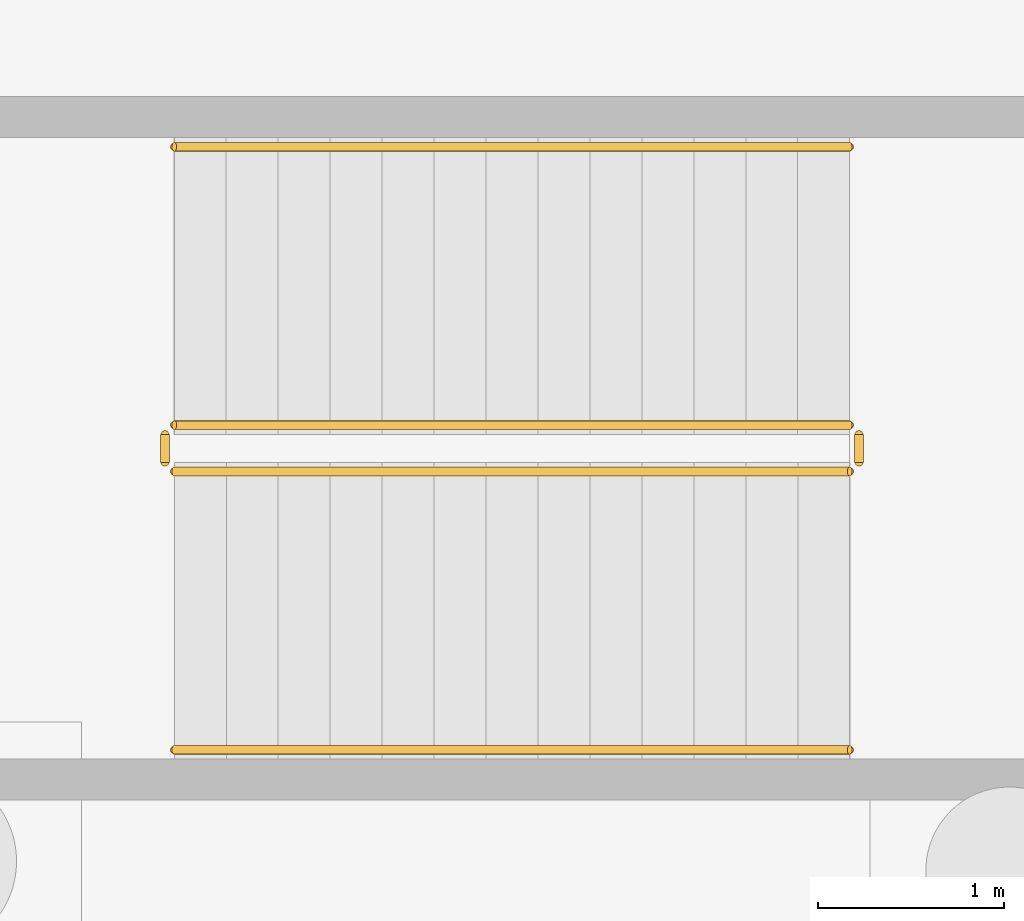
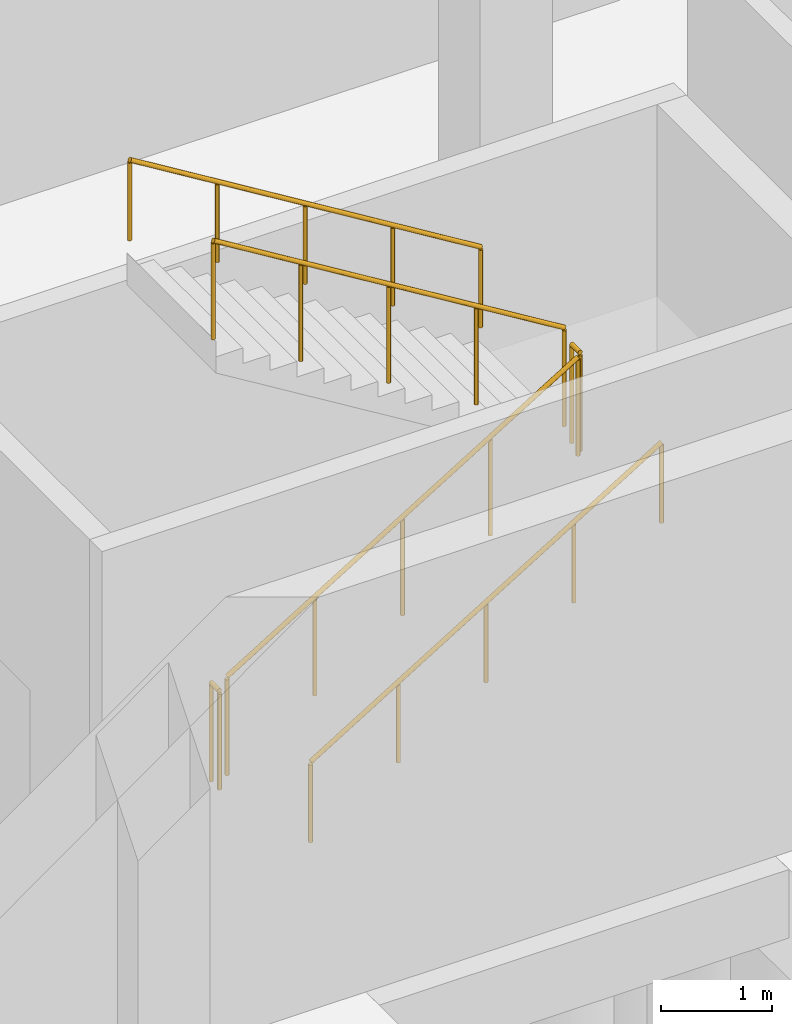
# One storey, part 20 of 26: 6 railings.
"""IFC4 building model written with IfcOpenShell, lengths in metres."""

from ifc_helpers import new_model, si_unit, direction, frame, origin, origin_2d, place, context, subcontext, project, spatial, circle, extrude, material, type_object, element, save


model = new_model("IFC4")

# Units and contexts
model_context = context("Model", 3, precision=1e-05, world=origin(), true_north=direction((0.0, 1.0)))
body_context = subcontext(model_context, "Body", "Model", "MODEL_VIEW")
ifc_project = project(units=[si_unit("LENGTHUNIT", "METRE"), si_unit("AREAUNIT", "SQUARE_METRE"), si_unit("VOLUMEUNIT", "CUBIC_METRE"), si_unit("PLANEANGLEUNIT", "RADIAN"), si_unit("MASSUNIT", "GRAM", prefix="KILO"), si_unit("THERMODYNAMICTEMPERATUREUNIT", "KELVIN")], contexts=[model_context])

# Site, building, storey
site_placement = place(None, origin())
site = spatial("IfcSite", under=ifc_project, at=site_placement, CompositionType="ELEMENT")
building_placement = place(site_placement, origin())
building = spatial("IfcBuilding", under=site, at=building_placement, Name="Nduvali Passage Aquatics Centre", CompositionType="ELEMENT")
storey_placement = place(building_placement, frame((0.0, 0.0, -4.800048828125)))
storey = spatial("IfcBuildingStorey", under=building, at=storey_placement, Name="B01", CompositionType="ELEMENT", Elevation=-4.800048828125)

# Railings
ifc_material = material(Name="Stainless steel balustrade", Category="steel")
railing_type_1 = type_object("IfcRailingType", Name="INT-RLG-GRD110", PredefinedType="GUARDRAIL", material=ifc_material)
railing_1_placement = place(storey_placement, frame((11.10009765625, 36.949951171875, 0.17138671875)))
element("IfcRailing", 1, at=railing_1_placement, inside=storey, type_object=railing_type_1, Name="B01 ST9 stair guard 1", PredefinedType="GUARDRAIL", context=body_context, shape_type="SweptSolid", body=[
    extrude(circle(Radius=0.02392578125, at=origin_2d()), frame((0.0, 0.0, 1.076171875), z_axis=(0.852824790078, 0.0, 0.522197163366), x_axis=(0.0, 1.0, 0.0)), (0.0, 0.0, 1.0), 4.26806640625),
    extrude(circle(Radius=0.02099609375, at=origin_2d()), origin(), (0.0, 0.0, 1.0), 1.052001953125),
    extrude(circle(Radius=0.02099609375, at=origin_2d()), frame((0.909912109375, 0.0, 0.55712890625)), (0.0, 0.0, 1.0), 1.052001953125),
    extrude(circle(Radius=0.02099609375, at=origin_2d()), frame((1.81982421875, 0.0, 1.1142578125)), (0.0, 0.0, 1.0), 1.052001953125),
    extrude(circle(Radius=0.02099609375, at=origin_2d()), frame((2.72998046875, 0.0, 1.671630859375)), (0.0, 0.0, 1.0), 1.052001953125),
    extrude(circle(Radius=0.02099609375, at=origin_2d()), frame((3.639892578125, 0.0, 2.228759765625)), (0.0, 0.0, 1.0), 1.052001953125),
])
railing_2_placement = place(storey_placement, frame((14.7900390625, 37.0, 2.400146484375)))
element("IfcRailing", 2, at=railing_2_placement, inside=storey, type_object=railing_type_1, Name="B01 ST9 stair guard 2", PredefinedType="GUARDRAIL", context=body_context, shape_type="SweptSolid", body=[
    extrude(circle(Radius=0.02392578125, at=origin_2d()), frame((0.0, 0.0, 1.076171875), z_axis=(0.0, 1.0, 0.0), x_axis=(-1.0, 0.0, 0.0)), (0.0, 0.0, 1.0), 0.14990234375),
    extrude(circle(Radius=0.02099609375, at=origin_2d()), origin(), (0.0, 0.0, 1.0), 1.052001953125),
    extrude(circle(Radius=0.02099609375, at=origin_2d()), frame((0.0, 0.14990234375, 0.0)), (0.0, 0.0, 1.0), 1.052001953125),
])
railing_3_placement = place(storey_placement, frame((14.739990234375, 37.199951171875, 2.571533203125)))
element("IfcRailing", 3, at=railing_3_placement, inside=storey, type_object=railing_type_1, Name="B01 ST9 stair guard 3", PredefinedType="GUARDRAIL", context=body_context, shape_type="SweptSolid", body=[
    extrude(circle(Radius=0.02392578125, at=origin_2d()), frame((0.0, 0.0, 1.076171875), z_axis=(-0.852850264322, 0.0, 0.5221555579), x_axis=(0.0, -1.0, 0.0)), (0.0, 0.0, 1.0), 4.267822265625),
    extrude(circle(Radius=0.02099609375, at=origin_2d()), origin(), (0.0, 0.0, 1.0), 1.052001953125),
    extrude(circle(Radius=0.02099609375, at=origin_2d()), frame((-0.909912109375, 0.0, 0.55712890625)), (0.0, 0.0, 1.0), 1.052001953125),
    extrude(circle(Radius=0.02099609375, at=origin_2d()), frame((-1.81982421875, 0.0, 1.1142578125)), (0.0, 0.0, 1.0), 1.052001953125),
    extrude(circle(Radius=0.02099609375, at=origin_2d()), frame((-2.72998046875, 0.0, 1.67138671875)), (0.0, 0.0, 1.0), 1.052001953125),
    extrude(circle(Radius=0.02099609375, at=origin_2d()), frame((-3.639892578125, 0.0, 2.228515625)), (0.0, 0.0, 1.0), 1.052001953125),
])
railing_4_placement = place(storey_placement, frame((11.050048828125, 37.0, 0.0)))
element("IfcRailing", 4, at=railing_4_placement, inside=storey, type_object=railing_type_1, Name="B01 ST9 stair guard 4", PredefinedType="GUARDRAIL", context=body_context, shape_type="SweptSolid", body=[
    extrude(circle(Radius=0.02392578125, at=origin_2d()), frame((0.0, 0.0, 1.076171875), z_axis=(0.0, 1.0, 0.0), x_axis=(-1.0, 0.0, 0.0)), (0.0, 0.0, 1.0), 0.14990234375),
    extrude(circle(Radius=0.02099609375, at=origin_2d()), origin(), (0.0, 0.0, 1.0), 1.052001953125),
    extrude(circle(Radius=0.02099609375, at=origin_2d()), frame((0.0, 0.14990234375, 0.0)), (0.0, 0.0, 1.0), 1.052001953125),
])
railing_type_2 = type_object("IfcRailingType", Name="INT-RLG-HND90", PredefinedType="HANDRAIL", material=ifc_material)
railing_5_placement = place(storey_placement, frame((11.10009765625, 35.449951171875, 0.346435546875)))
element("IfcRailing", 5, at=railing_5_placement, inside=storey, type_object=railing_type_2, Name="B01 ST9 stair handrail 1", PredefinedType="HANDRAIL", context=body_context, shape_type="SweptSolid", body=[
    extrude(circle(Radius=0.02392578125, at=origin_2d()), frame((0.0, 0.0, 0.8759765625), z_axis=(0.852850264322, 0.0, 0.5221555579), x_axis=(0.0, 1.0, 0.0)), (0.0, 0.0, 1.0), 4.267822265625),
    extrude(circle(Radius=0.02099609375, at=origin_2d()), origin(), (0.0, 0.0, 1.0), 0.851806640625),
    extrude(circle(Radius=0.02099609375, at=origin_2d()), frame((0.909912109375, 0.0, 0.55712890625)), (0.0, 0.0, 1.0), 0.851806640625),
    extrude(circle(Radius=0.02099609375, at=origin_2d()), frame((1.81982421875, 0.0, 1.1142578125)), (0.0, 0.0, 1.0), 0.851806640625),
    extrude(circle(Radius=0.02099609375, at=origin_2d()), frame((2.72998046875, 0.0, 1.67138671875)), (0.0, 0.0, 1.0), 0.851806640625),
    extrude(circle(Radius=0.02099609375, at=origin_2d()), frame((3.639892578125, 0.0, 2.228515625)), (0.0, 0.0, 1.0), 0.851806640625),
])
railing_6_placement = place(storey_placement, frame((14.739990234375, 38.699951171875, 2.746337890625)))
element("IfcRailing", 6, at=railing_6_placement, inside=storey, type_object=railing_type_2, Name="B01 ST9 stair handrail 2", PredefinedType="HANDRAIL", context=body_context, shape_type="SweptSolid", body=[
    extrude(circle(Radius=0.02392578125, at=origin_2d()), frame((0.0, 0.0, 0.8759765625), z_axis=(-0.852824790078, 0.0, 0.522197163366), x_axis=(0.0, -1.0, 0.0)), (0.0, 0.0, 1.0), 4.26806640625),
    extrude(circle(Radius=0.02099609375, at=origin_2d()), origin(), (0.0, 0.0, 1.0), 0.851806640625),
    extrude(circle(Radius=0.02099609375, at=origin_2d()), frame((-0.909912109375, 0.0, 0.55712890625)), (0.0, 0.0, 1.0), 0.851806640625),
    extrude(circle(Radius=0.02099609375, at=origin_2d()), frame((-1.81982421875, 0.0, 1.1142578125)), (0.0, 0.0, 1.0), 0.851806640625),
    extrude(circle(Radius=0.02099609375, at=origin_2d()), frame((-2.72998046875, 0.0, 1.671630859375)), (0.0, 0.0, 1.0), 0.851806640625),
    extrude(circle(Radius=0.02099609375, at=origin_2d()), frame((-3.639892578125, 0.0, 2.228759765625)), (0.0, 0.0, 1.0), 0.851806640625),
])

save(model, "model.ifc")
